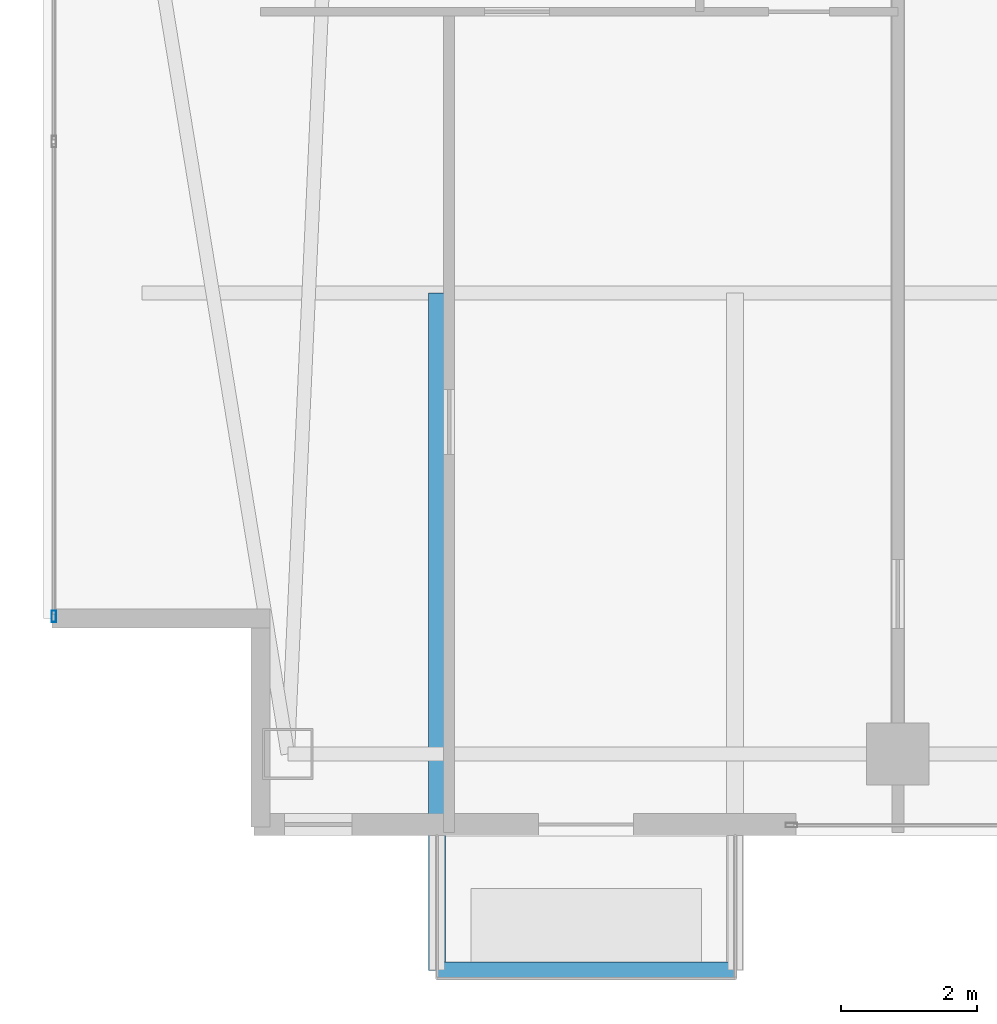
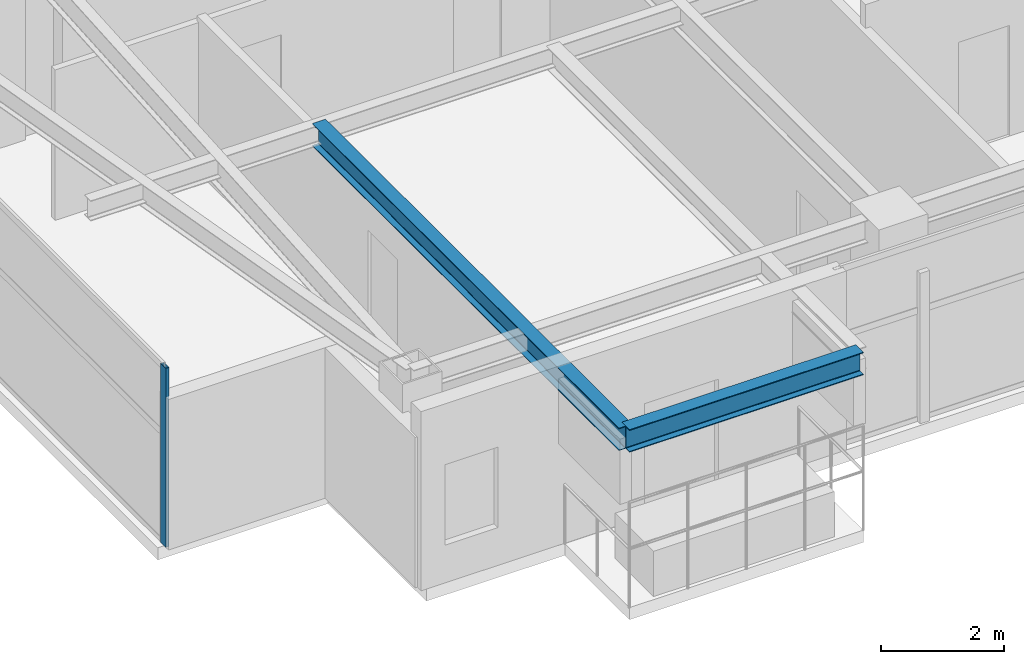
# One storey, part 2 of 28: 2 beams, 1 member, 1 element without a shape of its own.
"""IFC4 building model written with IfcOpenShell, lengths in metres."""

import ifcopenshell
import ifcopenshell.guid

model = None  # the IFC model being written
_history = None  # IfcOwnerHistory: only IFC2X3 demands one
_inside = {}  # id of a spatial element -> (the spatial element, [elements in it])
_under = {}  # id of a project, library or spatial element -> (it, [spatial elements below it])
_declared = {}  # id of a project -> (the project, [libraries it declares])
_typed = {}  # id of a type object -> (the type object, [elements of that type])
_made_of = {}  # id of a material, layer set ... -> (it, [elements and type objects made of it])


def new_model(schema):
    """Start an empty IFC model of exactly this schema.

    Asked for "IFC4X3", IfcOpenShell would pick the latest addendum, in which some entities
    have other attributes; the version numbers below select the first issue.
    IFC2X3 requires an IfcOwnerHistory on every rooted entity: one is made here for all.
    """
    global model, _history
    if schema == "IFC4X3":
        model = ifcopenshell.file(schema_version=(4, 3, 0, 0))
    else:
        model = ifcopenshell.file(schema=schema)
    _inside.clear()
    _under.clear()
    _declared.clear()
    _typed.clear()
    _made_of.clear()
    _history = None
    if model.schema == "IFC2X3":
        org = make("IfcOrganization", Name="unknown")
        user = make(
            "IfcPersonAndOrganization",
            ThePerson=make("IfcPerson", FamilyName="unknown"),
            TheOrganization=org,
        )
        app = make(
            "IfcApplication",
            ApplicationDeveloper=org,
            Version="unknown",
            ApplicationFullName="unknown",
            ApplicationIdentifier="unknown",
        )
        _history = make(
            "IfcOwnerHistory",
            OwningUser=user,
            OwningApplication=app,
            ChangeAction="ADDED",
            CreationDate=0,
        )
    return model


def make(cls, **values):
    """One entity of the class cls with the attributes given. An attribute that is None is left unset."""
    return model.create_entity(
        cls, **{name: value for name, value in values.items() if value is not None}
    )


def rooted(cls, **values):
    """An entity with a GlobalId (a new one), such as an element, a storey or a relation."""
    return make(cls, GlobalId=ifcopenshell.guid.new(), OwnerHistory=_history, **values)


def si_unit(unit_type, name, prefix=None):
    """IfcSIUnit, for example si_unit("LENGTHUNIT", "METRE", prefix="MILLI")."""
    return make("IfcSIUnit", UnitType=unit_type, Prefix=prefix, Name=name)


def assignment(units):
    """IfcUnitAssignment: the units of a project."""
    return None if units is None else make("IfcUnitAssignment", Units=units)


def point(xyz):
    """IfcCartesianPoint."""
    return None if xyz is None else make("IfcCartesianPoint", Coordinates=xyz)


def direction(xyz):
    """IfcDirection."""
    return None if xyz is None else make("IfcDirection", DirectionRatios=xyz)


def frame(location, z_axis=None, x_axis=None):
    """IfcAxis2Placement3D, a coordinate frame: its origin and axes. An axis left out is left unset."""
    return make(
        "IfcAxis2Placement3D",
        Location=point(location),
        Axis=direction(z_axis),
        RefDirection=direction(x_axis),
    )


def frame_2d(location, x_axis=None):
    """IfcAxis2Placement2D, a coordinate frame in the plane: its origin and x axis."""
    return make(
        "IfcAxis2Placement2D", Location=point(location), RefDirection=direction(x_axis)
    )


def origin():
    """The frame at (0, 0, 0) with its axes left unset."""
    return frame((0.0, 0.0, 0.0))


def origin_2d():
    """The frame at (0, 0) in the plane with its x axis left unset."""
    return frame_2d((0.0, 0.0))


def place(relative_to, where):
    """IfcLocalPlacement: puts the frame where relative to a parent placement (None: the world)."""
    return make(
        "IfcLocalPlacement", PlacementRelTo=relative_to, RelativePlacement=where
    )


def context(
    kind, dimensions, precision=None, world=None, true_north=None, identifier=None
):
    """IfcGeometricRepresentationContext, for example the 3D "Model" context."""
    return make(
        "IfcGeometricRepresentationContext",
        ContextIdentifier=identifier,
        ContextType=kind,
        CoordinateSpaceDimension=dimensions,
        Precision=precision,
        WorldCoordinateSystem=world,
        TrueNorth=true_north,
    )


def subcontext(parent, identifier, kind, view, scale=None):
    """IfcGeometricRepresentationSubContext, for example "Body" below "Model"."""
    return make(
        "IfcGeometricRepresentationSubContext",
        ContextIdentifier=identifier,
        ContextType=kind,
        ParentContext=parent,
        TargetScale=scale,
        TargetView=view,
    )


def project(units=None, contexts=None):
    """IfcProject with its units and contexts."""
    return rooted(
        "IfcProject",
        Name="project",
        RepresentationContexts=contexts,
        UnitsInContext=assignment(units),
    )


def spatial(cls, under=None, at=None, **own):
    """A site, building, storey or space (cls), placed at a placement, below another one or the project."""
    s = rooted(cls, ObjectPlacement=at, **own)
    if under is not None:
        _under.setdefault(under.id(), (under, []))[1].append(s)
    return s


def profile(cls, at=None, kind="AREA", **sizes):
    """A parametric profile (cls). Its sizes go by their IFC names, for example OverallWidth=200.0."""
    return make(cls, ProfileType=kind, Position=at, **sizes)


def hollow_rectangle(**sizes):
    """IfcRectangleHollowProfileDef."""
    return profile("IfcRectangleHollowProfileDef", **sizes)


def i_section(**sizes):
    """IfcIShapeProfileDef."""
    return profile("IfcIShapeProfileDef", **sizes)


def extrude(swept, where, along, depth):
    """IfcExtrudedAreaSolid: the profile swept, set in the frame where, extruded along a direction by depth."""
    return make(
        "IfcExtrudedAreaSolid",
        SweptArea=swept,
        Position=where,
        ExtrudedDirection=direction(along),
        Depth=depth,
    )


def shape(context_of_items, identifier, shape_type, items):
    """IfcShapeRepresentation: the items that make up one representation, for example the "Body"."""
    return make(
        "IfcShapeRepresentation",
        ContextOfItems=context_of_items,
        RepresentationIdentifier=identifier,
        RepresentationType=shape_type,
        Items=items,
    )


def material(Name=None, Category=None):
    """IfcMaterial."""
    return make("IfcMaterial", Name=Name, Category=Category)


def layer(
    of_material, thickness, ventilated=None, Name=None, Category=None, Priority=None
):
    """IfcMaterialLayer: one layer of a wall or slab, of a material (None: an air gap)."""
    return make(
        "IfcMaterialLayer",
        Material=of_material,
        LayerThickness=thickness,
        IsVentilated=ventilated,
        Name=Name,
        Category=Category,
        Priority=Priority,
    )


def layer_set(layers, Name=None):
    """IfcMaterialLayerSet."""
    return make("IfcMaterialLayerSet", MaterialLayers=layers, LayerSetName=Name)


def material_profile(
    of_material, cross_section, Name=None, Category=None, Priority=None
):
    """IfcMaterialProfile: a cross section and its material."""
    return make(
        "IfcMaterialProfile",
        Name=Name,
        Material=of_material,
        Profile=cross_section,
        Priority=Priority,
        Category=Category,
    )


def profile_set(profiles, Name=None, composite=None):
    """IfcMaterialProfileSet."""
    return make(
        "IfcMaterialProfileSet",
        Name=Name,
        MaterialProfiles=profiles,
        CompositeProfile=composite,
    )


def made_of(thing, what):
    """Note that an element or type object is made of a material, layer set ...; save() writes the relation."""
    if what is not None:
        _made_of.setdefault(what.id(), (what, []))[1].append(thing)
    return thing


def type_object(cls, material=None, **own):
    """A type object (cls), such as IfcWallType, which elements share."""
    return made_of(rooted(cls, **own), material)


def element(
    cls,
    number,
    at=None,
    inside=None,
    cuts=None,
    type_object=None,
    material=None,
    context=None,
    identifier="Body",
    shape_type=None,
    held_by="IfcProductDefinitionShape",
    body=None,
    shapes=None,
    **own,
):
    """One element of the class cls, such as IfcWall. Its Tag is "e" and its number.

    at: its placement. inside: the storey or other place that contains it. cuts: it is an
    opening in that element (IfcRelVoidsElement). A single representation is given by context,
    identifier, shape_type and body (its items); several are given by shapes. held_by: the class
    of the entity that holds the representations. save() writes the other relations.
    """
    e = rooted(cls, Tag="e%d" % number, ObjectPlacement=at, **own)
    if body is not None:
        shapes = [shape(context, identifier, shape_type, body)]
    if shapes is not None:
        e.Representation = make(held_by, Representations=shapes)
    if inside is not None:
        _inside.setdefault(inside.id(), (inside, []))[1].append(e)
    if cuts is not None:
        rooted(
            "IfcRelVoidsElement", RelatingBuildingElement=cuts, RelatedOpeningElement=e
        )
    if type_object is not None:
        _typed.setdefault(type_object.id(), (type_object, []))[1].append(e)
    return made_of(e, material)


def aggregate(whole, parts):
    """IfcRelAggregates: a whole, such as a stair, and the parts it consists of."""
    return rooted("IfcRelAggregates", RelatingObject=whole, RelatedObjects=parts)


def save(model, path):
    """Write the relations noted so far, then the file.

    IfcRelAggregates (storeys below a building ...), IfcRelContainedInSpatialStructure (elements
    in a storey), IfcRelDefinesByType, IfcRelAssociatesMaterial and IfcRelDeclares: one each for
    every whole, place, type object, material and project.
    """
    for whole, parts in _under.values():
        aggregate(whole, parts)
    for where, things in _inside.values():
        rooted(
            "IfcRelContainedInSpatialStructure",
            RelatedElements=things,
            RelatingStructure=where,
        )
    for kind, things in _typed.values():
        rooted("IfcRelDefinesByType", RelatedObjects=things, RelatingType=kind)
    for what, things in _made_of.values():
        rooted("IfcRelAssociatesMaterial", RelatedObjects=things, RelatingMaterial=what)
    for by, libraries in _declared.values():
        rooted("IfcRelDeclares", RelatingContext=by, RelatedDefinitions=libraries)
    model.write(path)


model = new_model("IFC4")

# Units and contexts
model_context = context("Model", 3, precision=1e-05, world=origin(), true_north=direction((0.0, 1.0)))
body_context = subcontext(model_context, "Body", "Model", "MODEL_VIEW")
ifc_project = project(units=[si_unit("LENGTHUNIT", "METRE"), si_unit("AREAUNIT", "SQUARE_METRE"), si_unit("VOLUMEUNIT", "CUBIC_METRE"), si_unit("PLANEANGLEUNIT", "RADIAN"), si_unit("MASSUNIT", "GRAM", prefix="KILO")], contexts=[model_context])

# Site, building, storey
site_placement = place(None, origin())
site = spatial("IfcSite", under=ifc_project, at=site_placement, CompositionType="ELEMENT")
building_placement = place(site_placement, origin())
building = spatial("IfcBuilding", under=site, at=building_placement, Name="Calvorn Quay Hotel", CompositionType="ELEMENT")
storey_placement = place(building_placement, frame((0.0, 0.0, 271.10009765625)))
storey = spatial("IfcBuildingStorey", under=building, at=storey_placement, Name="L67", CompositionType="ELEMENT", Elevation=271.10009765625)

# Beams
ifc_material_1 = material(Name="Steel Q355B", Category="steel")
ifc_material_profile_1 = material_profile(ifc_material_1, i_section(OverallWidth=0.25, OverallDepth=0.449951171875, WebThickness=0.011962890625, FlangeThickness=0.01611328125, FilletRadius=0.01611328125, at=origin_2d()), Name="HN450x250x12x16")
ifc_profile_set_1 = profile_set([ifc_material_profile_1], Name="Steel Q355B")
beam_type = type_object("IfcBeamType", Name="BM-CANT-BALC", PredefinedType="BEAM", material=ifc_profile_set_1)
beam_1_placement = place(storey_placement, frame((5.800048828125, 10.39990234375, 3.31494140625), z_axis=(0.0, -1.0, 0.0), x_axis=(1.0, 0.0, 0.0)))
element("IfcBeam", 1, at=beam_1_placement, inside=storey, type_object=beam_type, Name="Cantilever Balcony Beam BCB-L68-2A", PredefinedType="BEAM", context=body_context, shape_type="SweptSolid", body=[
    extrude(i_section(OverallWidth=0.25, OverallDepth=0.449951171875, WebThickness=0.011962890625, FlangeThickness=0.01611328125, FilletRadius=0.01611328125, at=origin_2d()), origin(), (0.0, 0.0, 1.0), 9.989990234375),
])
beam_2_placement = place(storey_placement, frame((5.800048828125, 0.409912109375, 3.31494140625), z_axis=(1.0, 0.0, 0.0), x_axis=(0.0, 1.0, 0.0)))
element("IfcBeam", 2, at=beam_2_placement, inside=storey, type_object=beam_type, Name="Beam BCBO-L68-2", PredefinedType="BEAM", context=body_context, shape_type="SweptSolid", body=[
    extrude(i_section(OverallWidth=0.25, OverallDepth=0.449951171875, WebThickness=0.011962890625, FlangeThickness=0.01611328125, FilletRadius=0.01611328125, at=origin_2d()), origin(), (0.0, 0.0, 1.0), 4.39990234375),
])

# Curtain wall, member
ifc_material_2 = material(Name="Champagne Bronze Anodised Aluminium and Low-E Glass", Category="aluminium")
ifc_layer = layer(ifc_material_2, 0.219970703125)
ifc_layer_set = layer_set([ifc_layer], Name="CW-SYS-Z4")
curtain_wall_type = type_object("IfcCurtainWallType", Name="CW-SYS-Z4", PredefinedType="NOTDEFINED", material=ifc_layer_set)
curtain_wall_placement = place(storey_placement, origin())
curtain_wall = element("IfcCurtainWall", 3, at=curtain_wall_placement, inside=storey, type_object=curtain_wall_type, Name="Tower West Curtain Wall (L67)", PredefinedType="NOTDEFINED")
ifc_material_3 = material(Name="Champagne Bronze Anodised Aluminium 6063-T6", Category="aluminium")
ifc_material_profile_2 = material_profile(ifc_material_3, hollow_rectangle(XDim=0.06494140625, YDim=0.169921875, WallThickness=0.00341796875, at=origin_2d()), Name="ALU-M170x65x3.5")
ifc_profile_set_2 = profile_set([ifc_material_profile_2], Name="Champagne Bronze Anodised Aluminium 6063-T6")
member_type = type_object("IfcMemberType", Name="CW-SYS-Z4-MUL", PredefinedType="MULLION", material=ifc_profile_set_2)
member_placement = place(storey_placement, frame((0.14990234375, 5.6298828125, 0.0), z_axis=(0.0, 0.0, 1.0), x_axis=(-1.0, 0.0, 0.0)))
member = element("IfcMember", 4, at=member_placement, type_object=member_type, Name="CW-L67-W mullion 1", PredefinedType="MULLION", context=body_context, shape_type="SweptSolid", body=[
    extrude(hollow_rectangle(XDim=0.06494140625, YDim=0.169921875, WallThickness=0.00341796875, at=origin_2d()), origin(), (0.0, 0.0, 1.0), 3.559814453125),
])
aggregate(curtain_wall, [member])

save(model, "model.ifc")
